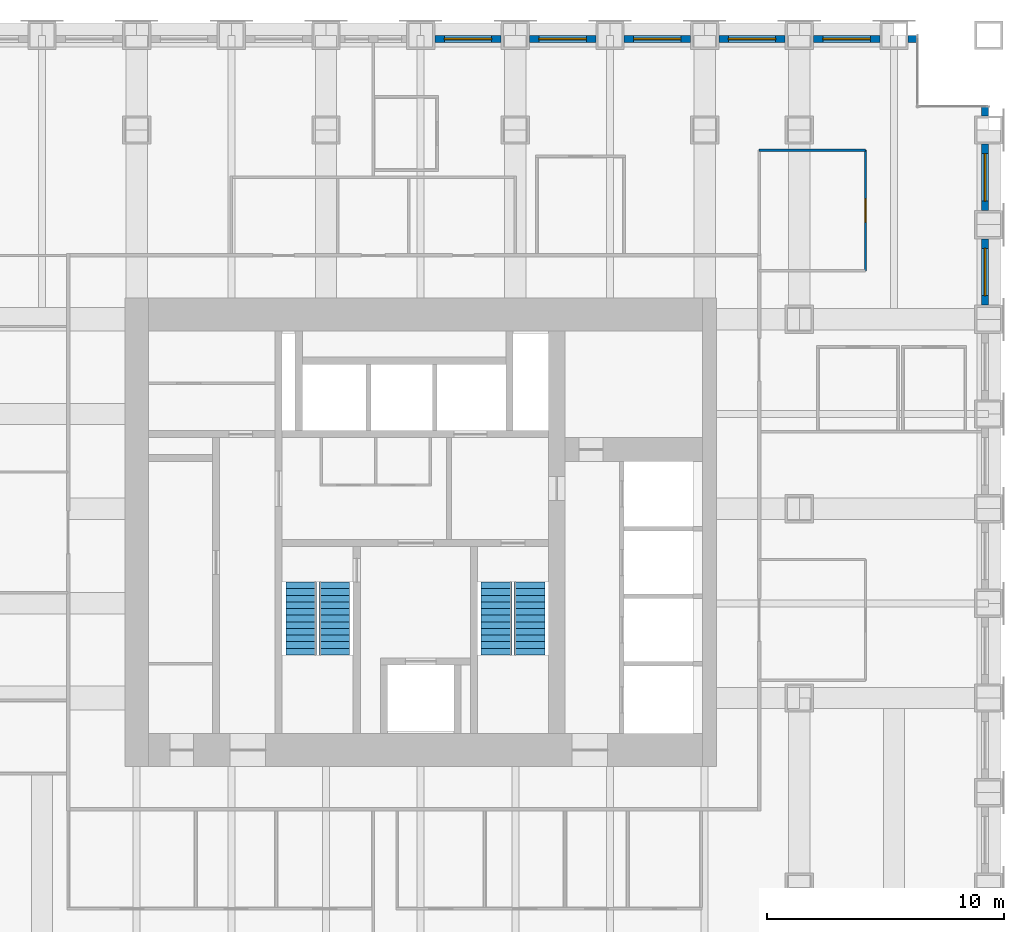
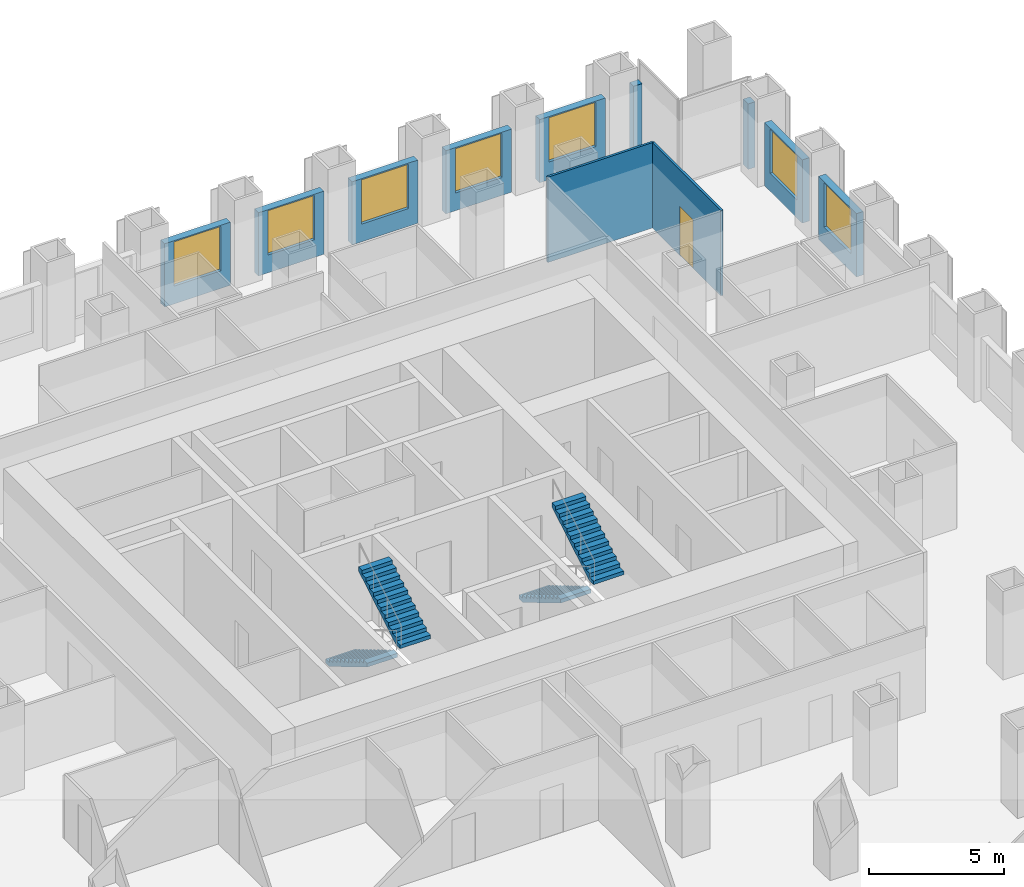
# One storey, part 12 of 14: 11 walls, 7 windows, 4 stair flights, 1 door, 8 openings, 2 elements without a shape of their own.
"""IFC4 building model written with IfcOpenShell, lengths in metres."""

from ifc_helpers import new_model, si_unit, direction, frame, frame_2d, origin, place, context, subcontext, project, spatial, polyline, rectangle, outline, extrude, material, layer, layer_set, type_object, element, fill, aggregate, save


model = new_model("IFC4")

# Units and contexts
model_context = context("Model", 3, precision=1e-05, world=origin(), true_north=direction((0.0, 1.0)))
body_context = subcontext(model_context, "Body", "Model", "MODEL_VIEW")
ifc_project = project(units=[si_unit("LENGTHUNIT", "METRE"), si_unit("AREAUNIT", "SQUARE_METRE"), si_unit("VOLUMEUNIT", "CUBIC_METRE"), si_unit("PLANEANGLEUNIT", "RADIAN"), si_unit("MASSUNIT", "GRAM", prefix="KILO")], contexts=[model_context])

# Site, building, storey
site_placement = place(None, origin())
site = spatial("IfcSite", under=ifc_project, at=site_placement, CompositionType="ELEMENT")
building_placement = place(site_placement, origin())
building = spatial("IfcBuilding", under=site, at=building_placement, Name="Rimbunsela Tower", CompositionType="ELEMENT")
storey_placement = place(building_placement, frame((0.0, 0.0, 55.0)))
storey = spatial("IfcBuildingStorey", under=building, at=storey_placement, Name="L13", CompositionType="ELEMENT", Elevation=55.0)

# Wall, opening, door
ifc_material_1 = material(Name="Gypsum board on steel studs", Category="steel")
ifc_layer_1 = layer(ifc_material_1, 0.10009765625)
ifc_layer_set_1 = layer_set([ifc_layer_1], Name="Office partition 100")
wall_type_1 = type_object("IfcWallType", Name="Office partition 100", PredefinedType="PARTITIONING", material=ifc_layer_set_1)
wall_1_placement = place(storey_placement, frame((48.800048828125, 38.050048828125, 0.0), z_axis=(0.0, 0.0, 1.0), x_axis=(0.0, 1.0, 0.0)))
wall_1 = element("IfcWall", 1, at=wall_1_placement, inside=storey, type_object=wall_type_1, Name="Office partition", PredefinedType="PARTITIONING", context=body_context, shape_type="SweptSolid", body=[
    extrude(rectangle(XDim=5.099853515625, YDim=0.10009765625, at=frame_2d((2.5498046875, 0.0))), origin(), (0.0, 0.0, 1.0), 3.85009765625),
])
opening_1_placement = place(wall_1_placement, frame((2.050048828125, 0.0, 0.0)))
opening_1 = element("IfcOpeningElement", 2, at=opening_1_placement, cuts=wall_1, Name="Opening D17", PredefinedType="OPENING", context=body_context, shape_type="SweptSolid", body=[
    extrude(rectangle(XDim=1.0, YDim=2.199951171875, at=frame_2d((0.5, 1.10009765625))), frame((0.0, 0.06005859375, 0.0), z_axis=(0.0, -1.0, 0.0), x_axis=(1.0, 0.0, 0.0)), (0.0, 0.0, 1.0), 0.1201171875),
])
ifc_material_2 = material(Name="Glazed aluminium door", Category="aluminium")
door_type = type_object("IfcDoorType", Name="Meeting room door 1000 glazed", OperationType="SINGLE_SWING_RIGHT", PredefinedType="DOOR", material=ifc_material_2)
door_placement = place(opening_1_placement, origin())
door = element("IfcDoor", 3, at=door_placement, inside=storey, type_object=door_type, Name="Reception door", OperationType="SINGLE_SWING_RIGHT", OverallHeight=2.199951171875, OverallWidth=1.0, PredefinedType="DOOR", context=body_context, shape_type="SweptSolid", body=[
    extrude(rectangle(XDim=1.0, YDim=2.199951171875, at=frame_2d((0.5, 1.10009765625))), frame((0.0, 0.02490234375, 0.0), z_axis=(0.0, -1.0, 0.0), x_axis=(1.0, 0.0, 0.0)), (0.0, 0.0, 1.0), 0.050048828125),
])
fill(opening_1, door)

# Wall
wall_2_placement = place(storey_placement, frame((48.800048828125, 43.14990234375, 0.0), z_axis=(0.0, 0.0, 1.0), x_axis=(-1.0, 0.0, 0.0)))
element("IfcWall", 4, at=wall_2_placement, inside=storey, type_object=wall_type_1, Name="Office partition", PredefinedType="PARTITIONING", context=body_context, shape_type="SweptSolid", body=[
    extrude(rectangle(XDim=4.5, YDim=0.10009765625, at=frame_2d((2.25, 0.0))), origin(), (0.0, 0.0, 1.0), 3.85009765625),
])

# Wall, opening, window
ifc_material_3 = material(Name="Precast concrete fc' 35 MPa", Category="concrete")
ifc_layer_2 = layer(ifc_material_3, 0.300048828125)
ifc_layer_set_2 = layer_set([ifc_layer_2], Name="Precast concrete fc' 35 MPa")
wall_type_2 = type_object("IfcWallType", Name="Precast facade panel 300", PredefinedType="ELEMENTEDWALL", material=ifc_layer_set_2)
wall_3_placement = place(storey_placement, frame((53.85009765625, 36.60009765625, 0.0), z_axis=(0.0, 0.0, 1.0), x_axis=(0.0, 1.0, 0.0)))
wall_3 = element("IfcWall", 5, at=wall_3_placement, inside=storey, type_object=wall_type_2, Name="Facade panel E L13", PredefinedType="ELEMENTEDWALL", context=body_context, shape_type="SweptSolid", body=[
    extrude(rectangle(XDim=2.7998046875, YDim=0.300048828125, at=frame_2d((1.39990234375, 0.0))), origin(), (0.0, 0.0, 1.0), 2.85009765625),
])
opening_2_placement = place(wall_3_placement, frame((0.39990234375, 0.0, 0.800048828125)))
opening_2 = element("IfcOpeningElement", 6, at=opening_2_placement, cuts=wall_3, Name="Opening W1", PredefinedType="OPENING", context=body_context, shape_type="SweptSolid", body=[
    extrude(rectangle(XDim=2.0, YDim=2.0, at=frame_2d((1.0, 1.0))), frame((0.0, 0.159912109375, 0.0), z_axis=(0.0, -1.0, 0.0), x_axis=(1.0, 0.0, 0.0)), (0.0, 0.0, 1.0), 0.320068359375),
])
ifc_material_4 = material(Name="Clear glass in aluminium frame", Category="aluminium")
window_type = type_object("IfcWindowType", Name="Window W1 2000x2000", PartitioningType="DOUBLE_PANEL_VERTICAL", PredefinedType="WINDOW", material=ifc_material_4)
window_1_placement = place(opening_2_placement, origin())
window_1 = element("IfcWindow", 7, at=window_1_placement, inside=storey, type_object=window_type, Name="Window L13", OverallHeight=2.0, OverallWidth=2.0, PartitioningType="SINGLE_PANEL", PredefinedType="WINDOW", context=body_context, shape_type="SweptSolid", body=[
    extrude(rectangle(XDim=2.0, YDim=2.0, at=frame_2d((1.0, 1.0))), frame((0.0, 0.030029296875, 0.0), z_axis=(0.0, -1.0, 0.0), x_axis=(1.0, 0.0, 0.0)), (0.0, 0.0, 1.0), 0.06005859375),
])
fill(opening_2, window_1)

wall_4_placement = place(storey_placement, frame((53.85009765625, 40.60009765625, 0.0), z_axis=(0.0, 0.0, 1.0), x_axis=(0.0, 1.0, 0.0)))
wall_4 = element("IfcWall", 8, at=wall_4_placement, inside=storey, type_object=wall_type_2, Name="Facade panel E L13", PredefinedType="ELEMENTEDWALL", context=body_context, shape_type="SweptSolid", body=[
    extrude(rectangle(XDim=2.7998046875, YDim=0.300048828125, at=frame_2d((1.39990234375, 0.0))), origin(), (0.0, 0.0, 1.0), 2.85009765625),
])
opening_3_placement = place(wall_4_placement, frame((0.39990234375, 0.0, 0.800048828125)))
opening_3 = element("IfcOpeningElement", 9, at=opening_3_placement, cuts=wall_4, Name="Opening W1", PredefinedType="OPENING", context=body_context, shape_type="SweptSolid", body=[
    extrude(rectangle(XDim=2.0, YDim=2.0, at=frame_2d((1.0, 1.0))), frame((0.0, 0.159912109375, 0.0), z_axis=(0.0, -1.0, 0.0), x_axis=(1.0, 0.0, 0.0)), (0.0, 0.0, 1.0), 0.320068359375),
])
window_2_placement = place(opening_3_placement, origin())
window_2 = element("IfcWindow", 10, at=window_2_placement, inside=storey, type_object=window_type, Name="Window L13", OverallHeight=2.0, OverallWidth=2.0, PartitioningType="SINGLE_PANEL", PredefinedType="WINDOW", context=body_context, shape_type="SweptSolid", body=[
    extrude(rectangle(XDim=2.0, YDim=2.0, at=frame_2d((1.0, 1.0))), frame((0.0, 0.030029296875, 0.0), z_axis=(0.0, -1.0, 0.0), x_axis=(1.0, 0.0, 0.0)), (0.0, 0.0, 1.0), 0.06005859375),
])
fill(opening_3, window_2)

# Wall
wall_5_placement = place(storey_placement, frame((53.85009765625, 44.60009765625, 0.0), z_axis=(0.0, 0.0, 1.0), x_axis=(0.0, 1.0, 0.0)))
element("IfcWall", 11, at=wall_5_placement, inside=storey, type_object=wall_type_2, Name="Facade panel E L13", PredefinedType="ELEMENTEDWALL", context=body_context, shape_type="SweptSolid", body=[
    extrude(rectangle(XDim=0.369873046875, YDim=0.300048828125, at=frame_2d((0.18505859375, 0.0))), origin(), (0.0, 0.0, 1.0), 2.949951171875),
])

# Wall, opening, window
wall_6_placement = place(storey_placement, frame((33.39990234375, 47.85009765625, 0.0), z_axis=(0.0, 0.0, 1.0), x_axis=(-1.0, 0.0, 0.0)))
wall_6 = element("IfcWall", 12, at=wall_6_placement, inside=storey, type_object=wall_type_2, Name="Facade panel N L13", PredefinedType="ELEMENTEDWALL", context=body_context, shape_type="SweptSolid", body=[
    extrude(rectangle(XDim=2.7998046875, YDim=0.300048828125, at=frame_2d((1.39990234375, 0.0))), origin(), (0.0, 0.0, 1.0), 2.85009765625),
])
opening_4_placement = place(wall_6_placement, frame((0.39990234375, 0.0, 0.800048828125)))
opening_4 = element("IfcOpeningElement", 13, at=opening_4_placement, cuts=wall_6, Name="Opening W1", PredefinedType="OPENING", context=body_context, shape_type="SweptSolid", body=[
    extrude(rectangle(XDim=2.0, YDim=2.0, at=frame_2d((1.0, 1.0))), frame((0.0, 0.159912109375, 0.0), z_axis=(0.0, -1.0, 0.0), x_axis=(1.0, 0.0, 0.0)), (0.0, 0.0, 1.0), 0.320068359375),
])
window_3_placement = place(opening_4_placement, origin())
window_3 = element("IfcWindow", 14, at=window_3_placement, inside=storey, type_object=window_type, Name="Window L13", OverallHeight=2.0, OverallWidth=2.0, PartitioningType="SINGLE_PANEL", PredefinedType="WINDOW", context=body_context, shape_type="SweptSolid", body=[
    extrude(rectangle(XDim=2.0, YDim=2.0, at=frame_2d((1.0, 1.0))), frame((0.0, 0.030029296875, 0.0), z_axis=(0.0, -1.0, 0.0), x_axis=(1.0, 0.0, 0.0)), (0.0, 0.0, 1.0), 0.06005859375),
])
fill(opening_4, window_3)

wall_7_placement = place(storey_placement, frame((37.39990234375, 47.85009765625, 0.0), z_axis=(0.0, 0.0, 1.0), x_axis=(-1.0, 0.0, 0.0)))
wall_7 = element("IfcWall", 15, at=wall_7_placement, inside=storey, type_object=wall_type_2, Name="Facade panel N L13", PredefinedType="ELEMENTEDWALL", context=body_context, shape_type="SweptSolid", body=[
    extrude(rectangle(XDim=2.7998046875, YDim=0.300048828125, at=frame_2d((1.39990234375, 0.0))), origin(), (0.0, 0.0, 1.0), 2.85009765625),
])
opening_5_placement = place(wall_7_placement, frame((0.39990234375, 0.0, 0.800048828125)))
opening_5 = element("IfcOpeningElement", 16, at=opening_5_placement, cuts=wall_7, Name="Opening W1", PredefinedType="OPENING", context=body_context, shape_type="SweptSolid", body=[
    extrude(rectangle(XDim=2.0, YDim=2.0, at=frame_2d((1.0, 1.0))), frame((0.0, 0.159912109375, 0.0), z_axis=(0.0, -1.0, 0.0), x_axis=(1.0, 0.0, 0.0)), (0.0, 0.0, 1.0), 0.320068359375),
])
window_4_placement = place(opening_5_placement, origin())
window_4 = element("IfcWindow", 17, at=window_4_placement, inside=storey, type_object=window_type, Name="Window L13", OverallHeight=2.0, OverallWidth=2.0, PartitioningType="SINGLE_PANEL", PredefinedType="WINDOW", context=body_context, shape_type="SweptSolid", body=[
    extrude(rectangle(XDim=2.0, YDim=2.0, at=frame_2d((1.0, 1.0))), frame((0.0, 0.030029296875, 0.0), z_axis=(0.0, -1.0, 0.0), x_axis=(1.0, 0.0, 0.0)), (0.0, 0.0, 1.0), 0.06005859375),
])
fill(opening_5, window_4)

wall_8_placement = place(storey_placement, frame((41.39990234375, 47.85009765625, 0.0), z_axis=(0.0, 0.0, 1.0), x_axis=(-1.0, 0.0, 0.0)))
wall_8 = element("IfcWall", 18, at=wall_8_placement, inside=storey, type_object=wall_type_2, Name="Facade panel N L13", PredefinedType="ELEMENTEDWALL", context=body_context, shape_type="SweptSolid", body=[
    extrude(rectangle(XDim=2.7998046875, YDim=0.300048828125, at=frame_2d((1.39990234375, 0.0))), origin(), (0.0, 0.0, 1.0), 2.85009765625),
])
opening_6_placement = place(wall_8_placement, frame((0.39990234375, 0.0, 0.800048828125)))
opening_6 = element("IfcOpeningElement", 19, at=opening_6_placement, cuts=wall_8, Name="Opening W1", PredefinedType="OPENING", context=body_context, shape_type="SweptSolid", body=[
    extrude(rectangle(XDim=2.0, YDim=2.0, at=frame_2d((1.0, 1.0))), frame((0.0, 0.159912109375, 0.0), z_axis=(0.0, -1.0, 0.0), x_axis=(1.0, 0.0, 0.0)), (0.0, 0.0, 1.0), 0.320068359375),
])
window_5_placement = place(opening_6_placement, origin())
window_5 = element("IfcWindow", 20, at=window_5_placement, inside=storey, type_object=window_type, Name="Window L13", OverallHeight=2.0, OverallWidth=2.0, PartitioningType="SINGLE_PANEL", PredefinedType="WINDOW", context=body_context, shape_type="SweptSolid", body=[
    extrude(rectangle(XDim=2.0, YDim=2.0, at=frame_2d((1.0, 1.0))), frame((0.0, 0.030029296875, 0.0), z_axis=(0.0, -1.0, 0.0), x_axis=(1.0, 0.0, 0.0)), (0.0, 0.0, 1.0), 0.06005859375),
])
fill(opening_6, window_5)

wall_9_placement = place(storey_placement, frame((45.39990234375, 47.85009765625, 0.0), z_axis=(0.0, 0.0, 1.0), x_axis=(-1.0, 0.0, 0.0)))
wall_9 = element("IfcWall", 21, at=wall_9_placement, inside=storey, type_object=wall_type_2, Name="Facade panel N L13", PredefinedType="ELEMENTEDWALL", context=body_context, shape_type="SweptSolid", body=[
    extrude(rectangle(XDim=2.7998046875, YDim=0.300048828125, at=frame_2d((1.39990234375, 0.0))), origin(), (0.0, 0.0, 1.0), 2.85009765625),
])
opening_7_placement = place(wall_9_placement, frame((0.39990234375, 0.0, 0.800048828125)))
opening_7 = element("IfcOpeningElement", 22, at=opening_7_placement, cuts=wall_9, Name="Opening W1", PredefinedType="OPENING", context=body_context, shape_type="SweptSolid", body=[
    extrude(rectangle(XDim=2.0, YDim=2.0, at=frame_2d((1.0, 1.0))), frame((0.0, 0.159912109375, 0.0), z_axis=(0.0, -1.0, 0.0), x_axis=(1.0, 0.0, 0.0)), (0.0, 0.0, 1.0), 0.320068359375),
])
window_6_placement = place(opening_7_placement, origin())
window_6 = element("IfcWindow", 23, at=window_6_placement, inside=storey, type_object=window_type, Name="Window L13", OverallHeight=2.0, OverallWidth=2.0, PartitioningType="SINGLE_PANEL", PredefinedType="WINDOW", context=body_context, shape_type="SweptSolid", body=[
    extrude(rectangle(XDim=2.0, YDim=2.0, at=frame_2d((1.0, 1.0))), frame((0.0, 0.030029296875, 0.0), z_axis=(0.0, -1.0, 0.0), x_axis=(1.0, 0.0, 0.0)), (0.0, 0.0, 1.0), 0.06005859375),
])
fill(opening_7, window_6)

wall_10_placement = place(storey_placement, frame((49.39990234375, 47.85009765625, 0.0), z_axis=(0.0, 0.0, 1.0), x_axis=(-1.0, 0.0, 0.0)))
wall_10 = element("IfcWall", 24, at=wall_10_placement, inside=storey, type_object=wall_type_2, Name="Facade panel N L13", PredefinedType="ELEMENTEDWALL", context=body_context, shape_type="SweptSolid", body=[
    extrude(rectangle(XDim=2.7998046875, YDim=0.300048828125, at=frame_2d((1.39990234375, 0.0))), origin(), (0.0, 0.0, 1.0), 2.85009765625),
])
opening_8_placement = place(wall_10_placement, frame((0.39990234375, 0.0, 0.800048828125)))
opening_8 = element("IfcOpeningElement", 25, at=opening_8_placement, cuts=wall_10, Name="Opening W1", PredefinedType="OPENING", context=body_context, shape_type="SweptSolid", body=[
    extrude(rectangle(XDim=2.0, YDim=2.0, at=frame_2d((1.0, 1.0))), frame((0.0, 0.159912109375, 0.0), z_axis=(0.0, -1.0, 0.0), x_axis=(1.0, 0.0, 0.0)), (0.0, 0.0, 1.0), 0.320068359375),
])
window_7_placement = place(opening_8_placement, origin())
window_7 = element("IfcWindow", 26, at=window_7_placement, inside=storey, type_object=window_type, Name="Window L13", OverallHeight=2.0, OverallWidth=2.0, PartitioningType="SINGLE_PANEL", PredefinedType="WINDOW", context=body_context, shape_type="SweptSolid", body=[
    extrude(rectangle(XDim=2.0, YDim=2.0, at=frame_2d((1.0, 1.0))), frame((0.0, 0.030029296875, 0.0), z_axis=(0.0, -1.0, 0.0), x_axis=(1.0, 0.0, 0.0)), (0.0, 0.0, 1.0), 0.06005859375),
])
fill(opening_8, window_7)

# Wall
wall_11_placement = place(storey_placement, frame((50.969970703125, 47.85009765625, 0.0), z_axis=(0.0, 0.0, 1.0), x_axis=(-1.0, 0.0, 0.0)))
element("IfcWall", 27, at=wall_11_placement, inside=storey, type_object=wall_type_2, Name="Facade panel N L13", PredefinedType="ELEMENTEDWALL", context=body_context, shape_type="SweptSolid", body=[
    extrude(rectangle(XDim=0.369873046875, YDim=0.300048828125, at=frame_2d((0.18505859375, 0.0))), origin(), (0.0, 0.0, 1.0), 2.949951171875),
])

# Stair, stair flights
ifc_material_5 = material(Name="Concrete fc' 35 MPa", Category="concrete")
stair_type = type_object("IfcStairType", Name="Exit stair 24 risers", PredefinedType="HALF_TURN_STAIR", material=ifc_material_5)
stair_1_placement = place(storey_placement, origin())
stair_1 = element("IfcStair", 28, at=stair_1_placement, inside=storey, type_object=stair_type, Name="Exit stair A L13", PredefinedType="HALF_TURN_STAIR")
ifc_material_6 = material(Name="Concrete fc' 35 MPa", Category="concrete")
stair_flight_type = type_object("IfcStairFlightType", Name="Stair flight 12 risers 167", PredefinedType="STRAIGHT", material=ifc_material_6)
stair_flight_1_placement = place(storey_placement, frame((24.949951171875, 24.89990234375, 0.0), z_axis=(0.0, 0.0, 1.0), x_axis=(0.0, -1.0, 0.0)))
stair_flight_1 = element("IfcStairFlight", 29, at=stair_flight_1_placement, type_object=stair_flight_type, Name="ST-A flight 1", NumberOfRisers=12, NumberOfTreads=11, PredefinedType="STRAIGHT", RiserHeight=0.166666667, TreadLength=0.28, context=body_context, shape_type="SweptSolid", body=[
    extrude(outline(polyline([(0.0, 0.0), (0.0, 0.166748046875), (0.280029296875, 0.166748046875), (0.280029296875, 0.333251953125), (0.56005859375, 0.333251953125), (0.56005859375, 0.5), (0.840087890625, 0.5), (0.840087890625, 0.666748046875), (1.1201171875, 0.666748046875), (1.1201171875, 0.833251953125), (1.39990234375, 0.833251953125), (1.39990234375, 1.0), (1.679931640625, 1.0), (1.679931640625, 1.166748046875), (1.9599609375, 1.166748046875), (1.9599609375, 1.333251953125), (2.239990234375, 1.333251953125), (2.239990234375, 1.5), (2.52001953125, 1.5), (2.52001953125, 1.666748046875), (2.800048828125, 1.666748046875), (2.800048828125, 1.833251953125), (3.080078125, 1.833251953125), (3.080078125, 2.0), (3.080078125, 1.658935546875), (0.29296875, 0.0), (0.0, 0.0)])), frame((0.0, 0.64990234375, 0.0), z_axis=(0.0, -1.0, 0.0), x_axis=(1.0, 0.0, 0.0)), (0.0, 0.0, 1.0), 1.300048828125),
])
stair_flight_2_placement = place(storey_placement, frame((26.35009765625, 21.820068359375, 2.0), z_axis=(0.0, 0.0, 1.0), x_axis=(0.0, 1.0, 0.0)))
stair_flight_2 = element("IfcStairFlight", 30, at=stair_flight_2_placement, type_object=stair_flight_type, Name="ST-A flight 2", NumberOfRisers=12, NumberOfTreads=11, PredefinedType="STRAIGHT", RiserHeight=0.166666667, TreadLength=0.28, context=body_context, shape_type="SweptSolid", body=[
    extrude(outline(polyline([(0.0, 0.0), (0.0, 0.166748046875), (0.280029296875, 0.166748046875), (0.280029296875, 0.333251953125), (0.56005859375, 0.333251953125), (0.56005859375, 0.5), (0.840087890625, 0.5), (0.840087890625, 0.666748046875), (1.1201171875, 0.666748046875), (1.1201171875, 0.833251953125), (1.39990234375, 0.833251953125), (1.39990234375, 1.0), (1.679931640625, 1.0), (1.679931640625, 1.166748046875), (1.9599609375, 1.166748046875), (1.9599609375, 1.333251953125), (2.239990234375, 1.333251953125), (2.239990234375, 1.5), (2.52001953125, 1.5), (2.52001953125, 1.666748046875), (2.800048828125, 1.666748046875), (2.800048828125, 1.833251953125), (3.080078125, 1.833251953125), (3.080078125, 2.0), (3.080078125, 1.658935546875), (0.29296875, 0.0), (0.0, 0.0)])), frame((0.0, 0.64990234375, 0.0), z_axis=(0.0, -1.0, 0.0), x_axis=(1.0, 0.0, 0.0)), (0.0, 0.0, 1.0), 1.300048828125),
])
aggregate(stair_1, [stair_flight_1, stair_flight_2])

stair_2_placement = place(storey_placement, origin())
stair_2 = element("IfcStair", 31, at=stair_2_placement, inside=storey, type_object=stair_type, Name="Exit stair B L13", PredefinedType="HALF_TURN_STAIR")
stair_flight_3_placement = place(storey_placement, frame((33.199951171875, 24.89990234375, 0.0), z_axis=(0.0, 0.0, 1.0), x_axis=(0.0, -1.0, 0.0)))
stair_flight_3 = element("IfcStairFlight", 32, at=stair_flight_3_placement, type_object=stair_flight_type, Name="ST-B flight 1", NumberOfRisers=12, NumberOfTreads=11, PredefinedType="STRAIGHT", RiserHeight=0.166666667, TreadLength=0.28, context=body_context, shape_type="SweptSolid", body=[
    extrude(outline(polyline([(0.0, 0.0), (0.0, 0.166748046875), (0.280029296875, 0.166748046875), (0.280029296875, 0.333251953125), (0.56005859375, 0.333251953125), (0.56005859375, 0.5), (0.840087890625, 0.5), (0.840087890625, 0.666748046875), (1.1201171875, 0.666748046875), (1.1201171875, 0.833251953125), (1.39990234375, 0.833251953125), (1.39990234375, 1.0), (1.679931640625, 1.0), (1.679931640625, 1.166748046875), (1.9599609375, 1.166748046875), (1.9599609375, 1.333251953125), (2.239990234375, 1.333251953125), (2.239990234375, 1.5), (2.52001953125, 1.5), (2.52001953125, 1.666748046875), (2.800048828125, 1.666748046875), (2.800048828125, 1.833251953125), (3.080078125, 1.833251953125), (3.080078125, 2.0), (3.080078125, 1.658935546875), (0.29296875, 0.0), (0.0, 0.0)])), frame((0.0, 0.64990234375, 0.0), z_axis=(0.0, -1.0, 0.0), x_axis=(1.0, 0.0, 0.0)), (0.0, 0.0, 1.0), 1.300048828125),
])
stair_flight_4_placement = place(storey_placement, frame((34.60009765625, 21.820068359375, 2.0), z_axis=(0.0, 0.0, 1.0), x_axis=(0.0, 1.0, 0.0)))
stair_flight_4 = element("IfcStairFlight", 33, at=stair_flight_4_placement, type_object=stair_flight_type, Name="ST-B flight 2", NumberOfRisers=12, NumberOfTreads=11, PredefinedType="STRAIGHT", RiserHeight=0.166666667, TreadLength=0.28, context=body_context, shape_type="SweptSolid", body=[
    extrude(outline(polyline([(0.0, 0.0), (0.0, 0.166748046875), (0.280029296875, 0.166748046875), (0.280029296875, 0.333251953125), (0.56005859375, 0.333251953125), (0.56005859375, 0.5), (0.840087890625, 0.5), (0.840087890625, 0.666748046875), (1.1201171875, 0.666748046875), (1.1201171875, 0.833251953125), (1.39990234375, 0.833251953125), (1.39990234375, 1.0), (1.679931640625, 1.0), (1.679931640625, 1.166748046875), (1.9599609375, 1.166748046875), (1.9599609375, 1.333251953125), (2.239990234375, 1.333251953125), (2.239990234375, 1.5), (2.52001953125, 1.5), (2.52001953125, 1.666748046875), (2.800048828125, 1.666748046875), (2.800048828125, 1.833251953125), (3.080078125, 1.833251953125), (3.080078125, 2.0), (3.080078125, 1.658935546875), (0.29296875, 0.0), (0.0, 0.0)])), frame((0.0, 0.64990234375, 0.0), z_axis=(0.0, -1.0, 0.0), x_axis=(1.0, 0.0, 0.0)), (0.0, 0.0, 1.0), 1.300048828125),
])
aggregate(stair_2, [stair_flight_3, stair_flight_4])

save(model, "model.ifc")
